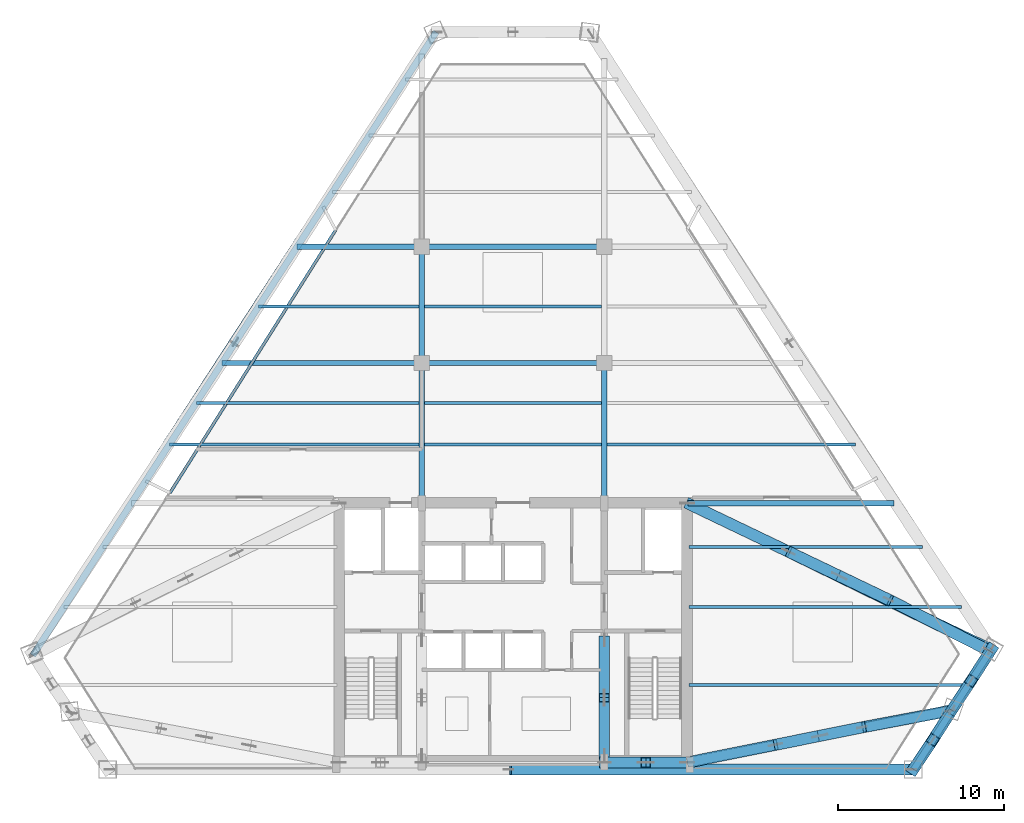
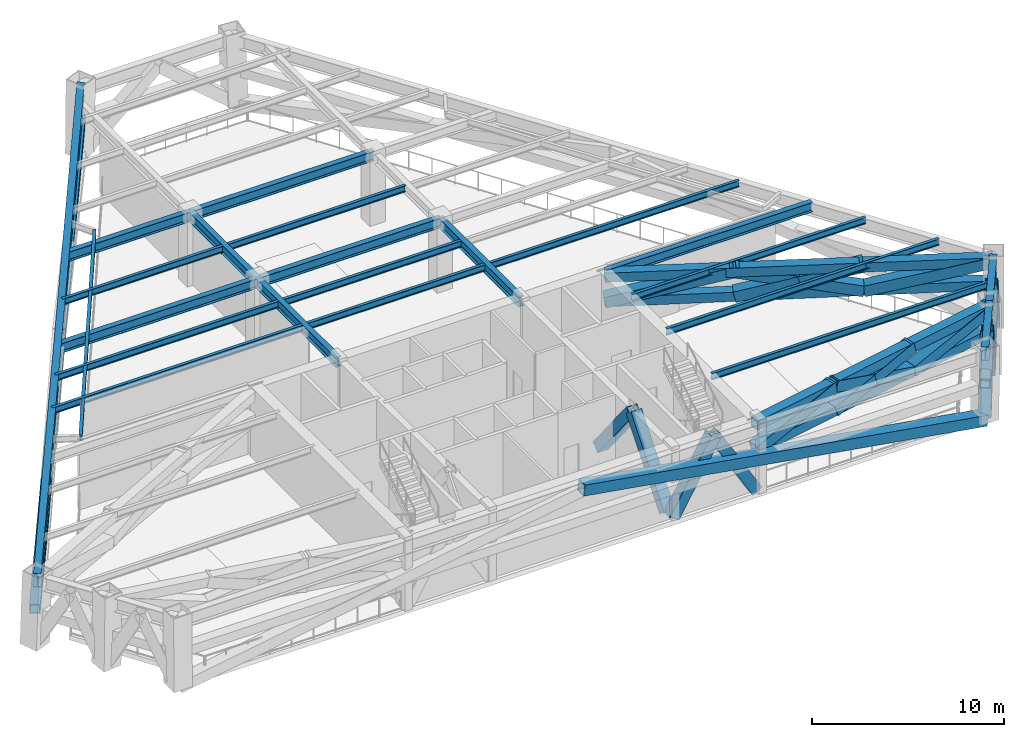
# One storey, part 2 of 9: 26 members, 22 beams.
"""IFC4 building model written with IfcOpenShell, lengths in metres."""

from ifc_helpers import new_model, si_unit, direction, frame, origin, origin_2d, place, context, subcontext, project, spatial, hollow_rectangle, i_section, extrude, source, transform, mapped, material, material_profile, profile_set, type_object, type_shapes, element, save


model = new_model("IFC4")

# Units and contexts
model_context = context("Model", 3, precision=1e-05, world=origin(), true_north=direction((0.0, 1.0)))
body_context = subcontext(model_context, "Body", "Model", "MODEL_VIEW")
ifc_project = project(units=[si_unit("LENGTHUNIT", "METRE"), si_unit("AREAUNIT", "SQUARE_METRE"), si_unit("VOLUMEUNIT", "CUBIC_METRE"), si_unit("PLANEANGLEUNIT", "RADIAN"), si_unit("MASSUNIT", "GRAM", prefix="KILO")], contexts=[model_context])

# Site, building, storey
site_placement = place(None, origin())
site = spatial("IfcSite", under=ifc_project, at=site_placement, CompositionType="ELEMENT")
building_placement = place(site_placement, origin())
building = spatial("IfcBuilding", under=site, at=building_placement, Name="Varnakhor Terracotta Tower", CompositionType="ELEMENT")
storey_placement = place(building_placement, frame((0.0, 0.0, 166.300048828125)))
storey = spatial("IfcBuildingStorey", under=building, at=storey_placement, Name="L42", CompositionType="ELEMENT", Elevation=166.300048828125)

# Beams
ifc_material_1 = material(Name="Steel S355", Category="steel")
ifc_material_profile_1 = material_profile(ifc_material_1, i_section(OverallWidth=0.324951171875, OverallDepth=0.615966796875, WebThickness=0.013916015625, FlangeThickness=0.02197265625, FilletRadius=0.01806640625, at=origin_2d()), Name="W24X117")
ifc_profile_set_1 = profile_set([ifc_material_profile_1], Name="Steel S355")
beam_type_1 = type_object("IfcBeamType", Name="BM-W24X117", PredefinedType="BEAM", material=ifc_profile_set_1)
shared_shape_1 = source(origin(), body_context, "Body", "SweptSolid", [
    extrude(i_section(OverallWidth=0.324951171875, OverallDepth=0.615966796875, WebThickness=0.013916015625, FlangeThickness=0.02197265625, FilletRadius=0.01806640625, at=origin_2d()), origin(), (0.0, 0.0, 1.0), 8.449951171875),
])
type_shapes(beam_type_1, [shared_shape_1])
for number, where, z_axis, x_axis, name in (
    (1, (-5.5, 16.050048828125, 4.161865234375), (0.0, 1.0, 0.0), (-1.0, 0.0, 0.0), "L42 Primary Girder NS1-W"),
    (2, (5.5, 16.050048828125, 4.161865234375), (0.0, 1.0, 0.0), (-1.0, 0.0, 0.0), "L42 Primary Girder NS1-E"),
):
    element("IfcBeam", number, at=place(storey_placement, frame(where, z_axis=z_axis, x_axis=x_axis)), inside=storey, type_object=beam_type_1, Name=name, PredefinedType="BEAM", context=body_context, shape_type="MappedRepresentation", body=[
        mapped(shared_shape_1, transform((0.0, 0.0, 0.0), scale=1.0)),
    ])
shared_shape_2 = source(origin(), body_context, "Body", "SweptSolid", [
    extrude(i_section(OverallWidth=0.324951171875, OverallDepth=0.615966796875, WebThickness=0.013916015625, FlangeThickness=0.02197265625, FilletRadius=0.01806640625, at=origin_2d()), origin(), (0.0, 0.0, 1.0), 7.0),
])
beam_1_placement = place(storey_placement, frame((-5.5, 24.5, 4.161865234375), z_axis=(0.0, 1.0, 0.0), x_axis=(-1.0, 0.0, 0.0)))
element("IfcBeam", 3, at=beam_1_placement, inside=storey, type_object=beam_type_1, Name="L42 Primary Girder NS2-W", PredefinedType="BEAM", context=body_context, shape_type="MappedRepresentation", body=[
    mapped(shared_shape_2, transform((0.0, 0.0, 0.0), scale=1.0)),
])
shared_shape_3 = source(origin(), body_context, "Body", "SweptSolid", [
    extrude(i_section(OverallWidth=0.324951171875, OverallDepth=0.615966796875, WebThickness=0.013916015625, FlangeThickness=0.02197265625, FilletRadius=0.01806640625, at=origin_2d()), origin(), (0.0, 0.0, 1.0), 11.0),
])
for number, where, z_axis, x_axis, name in (
    (4, (-5.5, 24.5, 4.161865234375), (1.0, 0.0, 0.0), (0.0, 1.0, 0.0), "L42 Primary Girder EW2-2"),
    (5, (-5.5, 31.5, 4.161865234375), (1.0, 0.0, 0.0), (0.0, 1.0, 0.0), "L42 Primary Girder EW3-2"),
):
    element("IfcBeam", number, at=place(storey_placement, frame(where, z_axis=z_axis, x_axis=x_axis)), inside=storey, type_object=beam_type_1, Name=name, PredefinedType="BEAM", context=body_context, shape_type="MappedRepresentation", body=[
        mapped(shared_shape_3, transform((0.0, 0.0, 0.0), scale=1.0)),
    ])
ifc_material_profile_2 = material_profile(ifc_material_1, i_section(OverallWidth=0.179931640625, OverallDepth=0.4130859375, WebThickness=0.009765625, FlangeThickness=0.01611328125, FilletRadius=0.01806640625, at=origin_2d()), Name="W16X50")
ifc_profile_set_2 = profile_set([ifc_material_profile_2], Name="Steel S355")
beam_type_2 = type_object("IfcBeamType", Name="JST-W16X50", PredefinedType="JOIST", material=ifc_profile_set_2)
shared_shape_4 = source(origin(), body_context, "Body", "SweptSolid", [
    extrude(i_section(OverallWidth=0.179931640625, OverallDepth=0.4130859375, WebThickness=0.009765625, FlangeThickness=0.01611328125, FilletRadius=0.01806640625, at=origin_2d()), origin(), (0.0, 0.0, 1.0), 10.68310546875),
])
for number, where, z_axis, x_axis, name in (
    (6, (-5.341552734375, 19.60009765625, 4.263427734375), (1.0, 0.0, 0.0), (0.0, 1.0, 0.0), "L42 Composite Floor Joist 4-2"),
    (7, (-5.341552734375, 22.10009765625, 4.263427734375), (1.0, 0.0, 0.0), (0.0, 1.0, 0.0), "L42 Composite Floor Joist 5-2"),
    (8, (-5.341552734375, 27.89990234375, 4.263427734375), (1.0, 0.0, 0.0), (0.0, 1.0, 0.0), "L42 Composite Floor Joist 6-2"),
):
    element("IfcBeam", number, at=place(storey_placement, frame(where, z_axis=z_axis, x_axis=x_axis)), inside=storey, type_object=beam_type_2, Name=name, PredefinedType="JOIST", context=body_context, shape_type="MappedRepresentation", body=[
        mapped(shared_shape_4, transform((0.0, 0.0, 0.0), scale=1.0)),
    ])
ifc_material_profile_3 = material_profile(ifc_material_1, i_section(OverallWidth=0.39990234375, OverallDepth=0.85498046875, WebThickness=0.01806640625, FlangeThickness=0.029052734375, FilletRadius=0.01806640625, at=origin_2d()), Name="W33X201")
ifc_profile_set_3 = profile_set([ifc_material_profile_3], Name="Steel S355")
beam_type_3 = type_object("IfcBeamType", Name="BM-W33X201", PredefinedType="BEAM", material=ifc_profile_set_3)
shared_shape_5 = source(origin(), body_context, "Body", "SweptSolid", [
    extrude(i_section(OverallWidth=0.39990234375, OverallDepth=0.85498046875, WebThickness=0.01806640625, FlangeThickness=0.029052734375, FilletRadius=0.01806640625, at=origin_2d()), origin(), (0.0, 0.0, 1.0), 4.24169921875),
])
beam_2_placement = place(storey_placement, frame((24.1484375, 0.0, 4.04248046875), z_axis=(0.543225026185, 0.83958714314, 0.0), x_axis=(-0.83958714314, 0.543225026185, 0.0)))
element("IfcBeam", 9, at=beam_2_placement, inside=storey, type_object=beam_type_3, Name="L42 Perimeter Spandrel 2", PredefinedType="BEAM", context=body_context, shape_type="MappedRepresentation", body=[
    mapped(shared_shape_5, transform((0.0, 0.0, 0.0), scale=1.0)),
])
shared_shape_6 = source(origin(), body_context, "Body", "SweptSolid", [
    extrude(i_section(OverallWidth=0.39990234375, OverallDepth=0.85498046875, WebThickness=0.01806640625, FlangeThickness=0.029052734375, FilletRadius=0.01806640625, at=origin_2d()), origin(), (0.0, 0.0, 1.0), 4.241943359375),
])
beam_3_placement = place(storey_placement, frame((26.45263671875, 3.561279296875, 4.04248046875), z_axis=(0.543198776218, 0.839604126666, 0.0), x_axis=(-0.839604126666, 0.543198776218, 0.0)))
element("IfcBeam", 10, at=beam_3_placement, inside=storey, type_object=beam_type_3, Name="L42 Perimeter Spandrel 3", PredefinedType="BEAM", context=body_context, shape_type="MappedRepresentation", body=[
    mapped(shared_shape_6, transform((0.0, 0.0, 0.0), scale=1.0)),
])
shared_shape_7 = source(origin(), body_context, "Body", "SweptSolid", [
    extrude(i_section(OverallWidth=0.39990234375, OverallDepth=0.85498046875, WebThickness=0.01806640625, FlangeThickness=0.029052734375, FilletRadius=0.01806640625, at=origin_2d()), origin(), (0.0, 0.0, 1.0), 44.763671875),
])
beam_4_placement = place(storey_placement, frame((-4.6337890625, 44.4521484375, 4.04248046875), z_axis=(-0.543206953717, -0.839598836012, 0.0), x_axis=(0.839598836012, -0.543206953717, 0.0)))
element("IfcBeam", 11, at=beam_4_placement, inside=storey, type_object=beam_type_3, Name="L42 Perimeter Spandrel 6", PredefinedType="BEAM", context=body_context, shape_type="MappedRepresentation", body=[
    mapped(shared_shape_7, transform((0.0, 0.0, 0.0), scale=1.0)),
])
ifc_material_profile_4 = material_profile(ifc_material_1, i_section(OverallWidth=0.179931640625, OverallDepth=0.39990234375, WebThickness=0.008544921875, FlangeThickness=0.013427734375, FilletRadius=0.01806640625, at=origin_2d()), Name="IPE400")
ifc_profile_set_4 = profile_set([ifc_material_profile_4], Name="Steel S355")
beam_type_4 = type_object("IfcBeamType", Name="JST-IPE400", PredefinedType="JOIST", material=ifc_profile_set_4)
shared_shape_8 = source(origin(), body_context, "Body", "SweptSolid", [
    extrude(i_section(OverallWidth=0.179931640625, OverallDepth=0.39990234375, WebThickness=0.008544921875, FlangeThickness=0.013427734375, FilletRadius=0.01806640625, at=origin_2d()), origin(), (0.0, 0.0, 1.0), 18.73291015625),
])
beam_5_placement = place(storey_placement, frame((-10.693115234375, 32.510986328125, 4.27001953125), z_axis=(-0.533387287799, -0.845871149298, 0.0), x_axis=(0.845871149298, -0.533387287799, 0.0)))
element("IfcBeam", 12, at=beam_5_placement, inside=storey, type_object=beam_type_4, Name="L42 Loggia Edge Beam 2", PredefinedType="JOIST", context=body_context, shape_type="MappedRepresentation", body=[
    mapped(shared_shape_8, transform((0.0, 0.0, 0.0), scale=1.0)),
])
shared_shape_9 = source(origin(), body_context, "Body", "SweptSolid", [
    extrude(i_section(OverallWidth=0.324951171875, OverallDepth=0.615966796875, WebThickness=0.013916015625, FlangeThickness=0.02197265625, FilletRadius=0.01806640625, at=origin_2d()), origin(), (0.0, 0.0, 1.0), 12.39501953125),
])
beam_6_placement = place(storey_placement, frame((10.550048828125, 16.050048828125, 4.161865234375), z_axis=(1.0, 0.0, 0.0), x_axis=(0.0, 1.0, 0.0)))
element("IfcBeam", 13, at=beam_6_placement, inside=storey, type_object=beam_type_1, Name="L42 Wing Girder E", PredefinedType="BEAM", context=body_context, shape_type="MappedRepresentation", body=[
    mapped(shared_shape_9, transform((0.0, 0.0, 0.0), scale=1.0)),
])
shared_shape_10 = source(origin(), body_context, "Body", "SweptSolid", [
    extrude(i_section(OverallWidth=0.324951171875, OverallDepth=0.615966796875, WebThickness=0.013916015625, FlangeThickness=0.02197265625, FilletRadius=0.01806640625, at=origin_2d()), origin(), (0.0, 0.0, 1.0), 12.04248046875),
])
beam_7_placement = place(storey_placement, frame((-17.54248046875, 24.5, 4.161865234375), z_axis=(1.0, 0.0, 0.0), x_axis=(0.0, 1.0, 0.0)))
element("IfcBeam", 14, at=beam_7_placement, inside=storey, type_object=beam_type_1, Name="L42 Primary Girder EW2-1", PredefinedType="BEAM", context=body_context, shape_type="MappedRepresentation", body=[
    mapped(shared_shape_10, transform((0.0, 0.0, 0.0), scale=1.0)),
])
shared_shape_11 = source(origin(), body_context, "Body", "SweptSolid", [
    extrude(i_section(OverallWidth=0.324951171875, OverallDepth=0.615966796875, WebThickness=0.013916015625, FlangeThickness=0.02197265625, FilletRadius=0.01806640625, at=origin_2d()), origin(), (0.0, 0.0, 1.0), 7.513671875),
])
beam_8_placement = place(storey_placement, frame((-13.013671875, 31.5, 4.161865234375), z_axis=(1.0, 0.0, 0.0), x_axis=(0.0, 1.0, 0.0)))
element("IfcBeam", 15, at=beam_8_placement, inside=storey, type_object=beam_type_1, Name="L42 Primary Girder EW3-1", PredefinedType="BEAM", context=body_context, shape_type="MappedRepresentation", body=[
    mapped(shared_shape_11, transform((0.0, 0.0, 0.0), scale=1.0)),
])
shared_shape_12 = source(origin(), body_context, "Body", "SweptSolid", [
    extrude(i_section(OverallWidth=0.179931640625, OverallDepth=0.4130859375, WebThickness=0.009765625, FlangeThickness=0.01611328125, FilletRadius=0.01806640625, at=origin_2d()), origin(), (0.0, 0.0, 1.0), 16.847900390625),
])
beam_9_placement = place(storey_placement, frame((10.60009765625, 5.10009765625, 4.263427734375), z_axis=(1.0, 0.0, 0.0), x_axis=(0.0, 1.0, 0.0)))
element("IfcBeam", 16, at=beam_9_placement, inside=storey, type_object=beam_type_2, Name="L42 Floor Joist E1", PredefinedType="JOIST", context=body_context, shape_type="MappedRepresentation", body=[
    mapped(shared_shape_12, transform((0.0, 0.0, 0.0), scale=1.0)),
])
shared_shape_13 = source(origin(), body_context, "Body", "SweptSolid", [
    extrude(i_section(OverallWidth=0.179931640625, OverallDepth=0.4130859375, WebThickness=0.009765625, FlangeThickness=0.01611328125, FilletRadius=0.01806640625, at=origin_2d()), origin(), (0.0, 0.0, 1.0), 16.413818359375),
])
beam_10_placement = place(storey_placement, frame((10.60009765625, 9.800048828125, 4.263427734375), z_axis=(1.0, 0.0, 0.0), x_axis=(0.0, 1.0, 0.0)))
element("IfcBeam", 17, at=beam_10_placement, inside=storey, type_object=beam_type_2, Name="L42 Floor Joist E2", PredefinedType="JOIST", context=body_context, shape_type="MappedRepresentation", body=[
    mapped(shared_shape_13, transform((0.0, 0.0, 0.0), scale=1.0)),
])
shared_shape_14 = source(origin(), body_context, "Body", "SweptSolid", [
    extrude(i_section(OverallWidth=0.179931640625, OverallDepth=0.4130859375, WebThickness=0.009765625, FlangeThickness=0.01611328125, FilletRadius=0.01806640625, at=origin_2d()), origin(), (0.0, 0.0, 1.0), 14.070068359375),
])
beam_11_placement = place(storey_placement, frame((10.60009765625, 13.39990234375, 4.263427734375), z_axis=(1.0, 0.0, 0.0), x_axis=(0.0, 1.0, 0.0)))
element("IfcBeam", 18, at=beam_11_placement, inside=storey, type_object=beam_type_2, Name="L42 Floor Joist E3", PredefinedType="JOIST", context=body_context, shape_type="MappedRepresentation", body=[
    mapped(shared_shape_14, transform((0.0, 0.0, 0.0), scale=1.0)),
])
shared_shape_15 = source(origin(), body_context, "Body", "SweptSolid", [
    extrude(i_section(OverallWidth=0.179931640625, OverallDepth=0.4130859375, WebThickness=0.009765625, FlangeThickness=0.01611328125, FilletRadius=0.01806640625, at=origin_2d()), origin(), (0.0, 0.0, 1.0), 15.054443359375),
])
beam_12_placement = place(storey_placement, frame((-20.712890625, 19.60009765625, 4.263427734375), z_axis=(1.0, 0.0, 0.0), x_axis=(0.0, 1.0, 0.0)))
element("IfcBeam", 19, at=beam_12_placement, inside=storey, type_object=beam_type_2, Name="L42 Composite Floor Joist 4-1", PredefinedType="JOIST", context=body_context, shape_type="MappedRepresentation", body=[
    mapped(shared_shape_15, transform((0.0, 0.0, 0.0), scale=1.0)),
])
shared_shape_16 = source(origin(), body_context, "Body", "SweptSolid", [
    extrude(i_section(OverallWidth=0.179931640625, OverallDepth=0.4130859375, WebThickness=0.009765625, FlangeThickness=0.01611328125, FilletRadius=0.01806640625, at=origin_2d()), origin(), (0.0, 0.0, 1.0), 14.9755859375),
])
beam_13_placement = place(storey_placement, frame((5.658447265625, 19.60009765625, 4.263427734375), z_axis=(1.0, 0.0, 0.0), x_axis=(0.0, 1.0, 0.0)))
element("IfcBeam", 20, at=beam_13_placement, inside=storey, type_object=beam_type_2, Name="L42 Composite Floor Joist 4-3", PredefinedType="JOIST", context=body_context, shape_type="MappedRepresentation", body=[
    mapped(shared_shape_16, transform((0.0, 0.0, 0.0), scale=1.0)),
])
shared_shape_17 = source(origin(), body_context, "Body", "SweptSolid", [
    extrude(i_section(OverallWidth=0.179931640625, OverallDepth=0.4130859375, WebThickness=0.009765625, FlangeThickness=0.01611328125, FilletRadius=0.01806640625, at=origin_2d()), origin(), (0.0, 0.0, 1.0), 13.43701171875),
])
beam_14_placement = place(storey_placement, frame((-19.095458984375, 22.10009765625, 4.263427734375), z_axis=(1.0, 0.0, 0.0), x_axis=(0.0, 1.0, 0.0)))
element("IfcBeam", 21, at=beam_14_placement, inside=storey, type_object=beam_type_2, Name="L42 Composite Floor Joist 5-1", PredefinedType="JOIST", context=body_context, shape_type="MappedRepresentation", body=[
    mapped(shared_shape_17, transform((0.0, 0.0, 0.0), scale=1.0)),
])
shared_shape_18 = source(origin(), body_context, "Body", "SweptSolid", [
    extrude(i_section(OverallWidth=0.179931640625, OverallDepth=0.4130859375, WebThickness=0.009765625, FlangeThickness=0.01611328125, FilletRadius=0.01806640625, at=origin_2d()), origin(), (0.0, 0.0, 1.0), 9.6845703125),
])
beam_15_placement = place(storey_placement, frame((-15.343017578125, 27.89990234375, 4.263427734375), z_axis=(1.0, 0.0, 0.0), x_axis=(0.0, 1.0, 0.0)))
element("IfcBeam", 22, at=beam_15_placement, inside=storey, type_object=beam_type_2, Name="L42 Composite Floor Joist 6-1", PredefinedType="JOIST", context=body_context, shape_type="MappedRepresentation", body=[
    mapped(shared_shape_18, transform((0.0, 0.0, 0.0), scale=1.0)),
])

# Members
ifc_material_2 = material(Name="Steel S460", Category="steel")
ifc_material_profile_5 = material_profile(ifc_material_2, hollow_rectangle(XDim=0.64990234375, YDim=0.64990234375, WallThickness=0.0400390625, at=origin_2d()), Name="HSS650X650X40")
ifc_profile_set_5 = profile_set([ifc_material_profile_5], Name="Steel S460")
member_type_1 = type_object("IfcMemberType", Name="MBR-MEGA-650", PredefinedType="BRACE", material=ifc_profile_set_5)
shared_shape_19 = source(origin(), body_context, "Body", "SweptSolid", [
    extrude(hollow_rectangle(XDim=0.64990234375, YDim=0.64990234375, WallThickness=0.0400390625, at=origin_2d()), origin(), (0.0, 0.0, 1.0), 4.9912109375),
])
for number, where, z_axis, x_axis, name in (
    (23, (5.5, 0.419921875, 0.0), (0.5008723715, 0.0, 0.86552115368), (0.0, 1.0, 0.0), "L42 Core Coupled Brace CSEA"),
    (24, (10.5, 0.419921875, 0.0), (-0.5008723715, 0.0, 0.86552115368), (0.0, -1.0, 0.0), "L42 Core Coupled Brace CSEB"),
):
    element("IfcMember", number, at=place(storey_placement, frame(where, z_axis=z_axis, x_axis=x_axis)), inside=storey, type_object=member_type_1, Name=name, PredefinedType="BRACE", context=body_context, shape_type="MappedRepresentation", body=[
        mapped(shared_shape_19, transform((0.0, 0.0, 0.0), scale=1.0)),
    ])
shared_shape_20 = source(origin(), body_context, "Body", "SweptSolid", [
    extrude(hollow_rectangle(XDim=0.64990234375, YDim=0.64990234375, WallThickness=0.0400390625, at=origin_2d()), origin(), (0.0, 0.0, 1.0), 5.544189453125),
])
for number, where, z_axis, x_axis, name in (
    (25, (5.5, 0.85009765625, 0.0), (0.0, 0.626760388554, 0.779212047738), (-1.0, 0.0, 0.0), "L42 Core Coupled Brace CWEA"),
    (26, (5.5, 7.800048828125, 0.0), (0.0, -0.626787124677, 0.779190541742), (1.0, 0.0, 0.0), "L42 Core Coupled Brace CWEB"),
):
    element("IfcMember", number, at=place(storey_placement, frame(where, z_axis=z_axis, x_axis=x_axis)), inside=storey, type_object=member_type_1, Name=name, PredefinedType="BRACE", context=body_context, shape_type="MappedRepresentation", body=[
        mapped(shared_shape_20, transform((0.0, 0.0, 0.0), scale=1.0)),
    ])
ifc_material_profile_6 = material_profile(ifc_material_2, hollow_rectangle(XDim=0.679931640625, YDim=0.679931640625, WallThickness=0.048095703125, at=origin_2d()), Name="HSS680X680X48")
ifc_profile_set_6 = profile_set([ifc_material_profile_6], Name="Steel S460")
member_type_2 = type_object("IfcMemberType", Name="MBR-OUTRIGGER-680", PredefinedType="BRACE", material=ifc_profile_set_6)
shared_shape_21 = source(origin(), body_context, "Body", "SweptSolid", [
    extrude(hollow_rectangle(XDim=0.679931640625, YDim=0.679931640625, WallThickness=0.048095703125, at=origin_2d()), origin(), (0.0, 0.0, 1.0), 24.61572265625),
])
member_1_placement = place(storey_placement, frame((24.11669921875, 0.0, 0.0), z_axis=(-0.9864231264, 0.0, 0.164223675829), x_axis=(0.0, -1.0, 0.0)))
element("IfcMember", 27, at=member_1_placement, inside=storey, type_object=member_type_2, Name="L42 Belt-Truss Diagonal S1B", PredefinedType="BRACE", context=body_context, shape_type="MappedRepresentation", body=[
    mapped(shared_shape_21, transform((0.0, 0.0, 0.0), scale=1.0)),
])
shared_shape_22 = source(origin(), body_context, "Body", "SweptSolid", [
    extrude(hollow_rectangle(XDim=0.679931640625, YDim=0.679931640625, WallThickness=0.048095703125, at=origin_2d()), origin(), (0.0, 0.0, 1.0), 4.5732421875),
])
member_2_placement = place(storey_placement, frame((24.11669921875, 0.0, 0.0), z_axis=(0.258863767314, 0.389390043058, 0.883948496429), x_axis=(-0.832769754247, 0.553619487023, 0.0)))
element("IfcMember", 28, at=member_2_placement, inside=storey, type_object=member_type_2, Name="L42 Belt-Truss Diagonal E1A", PredefinedType="BRACE", context=body_context, shape_type="MappedRepresentation", body=[
    mapped(shared_shape_22, transform((0.0, 0.0, 0.0), scale=1.0)),
])
shared_shape_23 = source(origin(), body_context, "Body", "SweptSolid", [
    extrude(hollow_rectangle(XDim=0.679931640625, YDim=0.679931640625, WallThickness=0.048095703125, at=origin_2d()), origin(), (0.0, 0.0, 1.0), 4.59912109375),
])
member_3_placement = place(storey_placement, frame((26.477294921875, 3.63134765625, 0.0), z_axis=(-0.255870879241, -0.402386154492, 0.878985481012), x_axis=(0.843844797634, -0.536587325145, 0.0)))
element("IfcMember", 29, at=member_3_placement, inside=storey, type_object=member_type_2, Name="L42 Belt-Truss Diagonal E1B", PredefinedType="BRACE", context=body_context, shape_type="MappedRepresentation", body=[
    mapped(shared_shape_23, transform((0.0, 0.0, 0.0), scale=1.0)),
])
ifc_material_profile_7 = material_profile(ifc_material_2, hollow_rectangle(XDim=0.580078125, YDim=0.580078125, WallThickness=0.0380859375, at=origin_2d()), Name="HSS580X580X38")
ifc_profile_set_7 = profile_set([ifc_material_profile_7], Name="Steel S460")
member_type_3 = type_object("IfcMemberType", Name="MBR-BELT-CHORD-580", PredefinedType="CHORD", material=ifc_profile_set_7)
shared_shape_24 = source(origin(), body_context, "Body", "SweptSolid", [
    extrude(hollow_rectangle(XDim=0.580078125, YDim=0.580078125, WallThickness=0.0380859375, at=origin_2d()), origin(), (0.0, 0.0, 1.0), 4.331298828125),
])
member_4_placement = place(storey_placement, frame((24.11669921875, 0.0, 2.14990234375), z_axis=(0.545024013631, 0.838420434249, 0.0), x_axis=(-0.838420434249, 0.545024013631, 0.0)))
element("IfcMember", 30, at=member_4_placement, inside=storey, type_object=member_type_3, Name="L42 Belt-Truss Bottom Chord E1", PredefinedType="CHORD", context=body_context, shape_type="MappedRepresentation", body=[
    mapped(shared_shape_24, transform((0.0, 0.0, 0.0), scale=1.0)),
])
shared_shape_25 = source(origin(), body_context, "Body", "SweptSolid", [
    extrude(hollow_rectangle(XDim=0.679931640625, YDim=0.679931640625, WallThickness=0.048095703125, at=origin_2d()), origin(), (0.0, 0.0, 1.0), 4.531982421875),
])
member_5_placement = place(storey_placement, frame((26.477294921875, 3.63134765625, 0.0), z_axis=(0.248772145117, 0.377467826079, 0.891981199403), x_axis=(-0.834971892817, 0.550292593268, 0.0)))
element("IfcMember", 31, at=member_5_placement, inside=storey, type_object=member_type_2, Name="L42 Belt-Truss Diagonal E2A", PredefinedType="BRACE", context=body_context, shape_type="MappedRepresentation", body=[
    mapped(shared_shape_25, transform((0.0, 0.0, 0.0), scale=1.0)),
])
shared_shape_26 = source(origin(), body_context, "Body", "SweptSolid", [
    extrude(hollow_rectangle(XDim=0.679931640625, YDim=0.679931640625, WallThickness=0.048095703125, at=origin_2d()), origin(), (0.0, 0.0, 1.0), 4.64208984375),
])
member_6_placement = place(storey_placement, frame((28.83740234375, 7.2626953125, 0.0), z_axis=(-0.26553484251, -0.413737889885, 0.87081123436), x_axis=(0.841584903068, -0.540124847539, 0.0)))
element("IfcMember", 32, at=member_6_placement, inside=storey, type_object=member_type_2, Name="L42 Belt-Truss Diagonal E2B", PredefinedType="BRACE", context=body_context, shape_type="MappedRepresentation", body=[
    mapped(shared_shape_26, transform((0.0, 0.0, 0.0), scale=1.0)),
])
shared_shape_27 = source(origin(), body_context, "Body", "SweptSolid", [
    extrude(hollow_rectangle(XDim=0.580078125, YDim=0.580078125, WallThickness=0.0380859375, at=origin_2d()), origin(), (0.0, 0.0, 1.0), 4.330810546875),
])
member_7_placement = place(storey_placement, frame((26.477294921875, 3.63134765625, 2.14990234375), z_axis=(0.544944758423, 0.838471949601, 0.0), x_axis=(-0.838471949601, 0.544944758423, 0.0)))
element("IfcMember", 33, at=member_7_placement, inside=storey, type_object=member_type_3, Name="L42 Belt-Truss Bottom Chord E2", PredefinedType="CHORD", context=body_context, shape_type="MappedRepresentation", body=[
    mapped(shared_shape_27, transform((0.0, 0.0, 0.0), scale=1.0)),
])
shared_shape_28 = source(origin(), body_context, "Body", "SweptSolid", [
    extrude(hollow_rectangle(XDim=0.580078125, YDim=0.580078125, WallThickness=0.0380859375, at=origin_2d()), origin(), (0.0, 0.0, 1.0), 44.621337890625),
])
member_8_placement = place(storey_placement, frame((-4.689208984375, 44.428955078125, 2.14990234375), z_axis=(-0.544983350369, -0.838446866426, 0.0), x_axis=(0.838446866426, -0.544983350369, 0.0)))
element("IfcMember", 34, at=member_8_placement, inside=storey, type_object=member_type_3, Name="L42 Belt-Truss Bottom Chord NW", PredefinedType="CHORD", context=body_context, shape_type="MappedRepresentation", body=[
    mapped(shared_shape_28, transform((0.0, 0.0, 0.0), scale=1.0)),
])
shared_shape_29 = source(origin(), body_context, "Body", "SweptSolid", [
    extrude(hollow_rectangle(XDim=0.580078125, YDim=0.580078125, WallThickness=0.0380859375, at=origin_2d()), origin(), (0.0, 0.0, 1.0), 16.296875),
])
member_9_placement = place(storey_placement, frame((10.5, 0.419921875, 2.550048828125), z_axis=(0.980391810153, 0.197058109664, 0.0), x_axis=(-0.197058109664, 0.980391810153, 0.0)))
element("IfcMember", 35, at=member_9_placement, inside=storey, type_object=member_type_3, Name="L42 Outrigger Bottom Chord OE1", PredefinedType="CHORD", context=body_context, shape_type="MappedRepresentation", body=[
    mapped(shared_shape_29, transform((0.0, 0.0, 0.0), scale=1.0)),
])
shared_shape_30 = source(origin(), body_context, "Body", "SweptSolid", [
    extrude(hollow_rectangle(XDim=0.580078125, YDim=0.580078125, WallThickness=0.0380859375, at=origin_2d()), origin(), (0.0, 0.0, 1.0), 16.259033203125),
])
member_10_placement = place(storey_placement, frame((10.5, 0.419921875, 4.119873046875), z_axis=(0.981157934982, 0.19320741865, 0.0), x_axis=(-0.19320741865, 0.981157934982, 0.0)))
element("IfcMember", 36, at=member_10_placement, inside=storey, type_object=member_type_3, Name="L42 Outrigger Top Chord OE1", PredefinedType="CHORD", context=body_context, shape_type="MappedRepresentation", body=[
    mapped(shared_shape_30, transform((0.0, 0.0, 0.0), scale=1.0)),
])
shared_shape_31 = source(origin(), body_context, "Body", "SweptSolid", [
    extrude(hollow_rectangle(XDim=0.679931640625, YDim=0.679931640625, WallThickness=0.048095703125, at=origin_2d()), origin(), (0.0, 0.0, 1.0), 5.654541015625),
])
member_11_placement = place(storey_placement, frame((10.5, 0.419921875, 2.550048828125), z_axis=(0.941849088052, 0.189328332773, 0.277623986255), x_axis=(-0.197075403165, 0.980388334012, 0.0)))
element("IfcMember", 37, at=member_11_placement, inside=storey, type_object=member_type_2, Name="L42 Outrigger Web Diagonal OE1-1", PredefinedType="BRACE", context=body_context, shape_type="MappedRepresentation", body=[
    mapped(shared_shape_31, transform((0.0, 0.0, 0.0), scale=1.0)),
])
shared_shape_32 = source(origin(), body_context, "Body", "SweptSolid", [
    extrude(hollow_rectangle(XDim=0.679931640625, YDim=0.679931640625, WallThickness=0.048095703125, at=origin_2d()), origin(), (0.0, 0.0, 1.0), 5.65478515625),
])
member_12_placement = place(storey_placement, frame((15.82568359375, 1.490478515625, 4.119873046875), z_axis=(0.941861661025, 0.189279006277, -0.277614965867), x_axis=(-0.197023523696, 0.980398761275, 0.0)))
element("IfcMember", 38, at=member_12_placement, inside=storey, type_object=member_type_2, Name="L42 Outrigger Continuous X-Diagonal OE1-2", PredefinedType="BRACE", context=body_context, shape_type="MappedRepresentation", body=[
    mapped(shared_shape_32, transform((0.0, 0.0, 0.0), scale=1.0)),
])
shared_shape_33 = source(origin(), body_context, "Body", "SweptSolid", [
    extrude(hollow_rectangle(XDim=0.679931640625, YDim=0.679931640625, WallThickness=0.048095703125, at=origin_2d()), origin(), (0.0, 0.0, 1.0), 2.8271484375),
])
member_13_placement = place(storey_placement, frame((15.82568359375, 1.490478515625, 2.550048828125), z_axis=(0.941856786422, 0.18928670357, 0.277626255464), x_axis=(-0.197032205043, 0.980397016609, 0.0)))
element("IfcMember", 39, at=member_13_placement, inside=storey, type_object=member_type_2, Name="L42 Outrigger Split X-Diagonal OE1-3A", PredefinedType="BRACE", context=body_context, shape_type="MappedRepresentation", body=[
    mapped(shared_shape_33, transform((0.0, 0.0, 0.0), scale=1.0)),
])
shared_shape_34 = source(origin(), body_context, "Body", "SweptSolid", [
    extrude(hollow_rectangle(XDim=0.679931640625, YDim=0.679931640625, WallThickness=0.048095703125, at=origin_2d()), origin(), (0.0, 0.0, 1.0), 2.827392578125),
])
member_14_placement = place(storey_placement, frame((18.488525390625, 2.025634765625, 3.3349609375), z_axis=(0.941866535034, 0.18927130957, 0.27760367713), x_axis=(-0.197014843099, 0.980400505711, 0.0)))
element("IfcMember", 40, at=member_14_placement, inside=storey, type_object=member_type_2, Name="L42 Outrigger Split X-Diagonal OE1-3B", PredefinedType="BRACE", context=body_context, shape_type="MappedRepresentation", body=[
    mapped(shared_shape_34, transform((0.0, 0.0, 0.0), scale=1.0)),
])
shared_shape_35 = source(origin(), body_context, "Body", "SweptSolid", [
    extrude(hollow_rectangle(XDim=0.679931640625, YDim=0.679931640625, WallThickness=0.048095703125, at=origin_2d()), origin(), (0.0, 0.0, 1.0), 5.618408203125),
])
member_15_placement = place(storey_placement, frame((21.151611328125, 2.560791015625, 2.550048828125), z_axis=(0.943514907495, 0.178074153314, 0.279408688583), x_axis=(-0.185460629514, 0.982651695618, 0.0)))
element("IfcMember", 41, at=member_15_placement, inside=storey, type_object=member_type_2, Name="L42 Outrigger Web Diagonal OE1-4", PredefinedType="BRACE", context=body_context, shape_type="MappedRepresentation", body=[
    mapped(shared_shape_35, transform((0.0, 0.0, 0.0), scale=1.0)),
])
shared_shape_36 = source(origin(), body_context, "Body", "SweptSolid", [
    extrude(hollow_rectangle(XDim=0.580078125, YDim=0.580078125, WallThickness=0.0380859375, at=origin_2d()), origin(), (0.0, 0.0, 1.0), 20.334228515625),
])
member_16_placement = place(storey_placement, frame((10.5, 16.050048828125, 2.550048828125), z_axis=(0.901802966605, -0.432147439449, 0.0), x_axis=(0.432147439449, 0.901802966605, 0.0)))
element("IfcMember", 42, at=member_16_placement, inside=storey, type_object=member_type_3, Name="L42 Outrigger Bottom Chord OE2", PredefinedType="CHORD", context=body_context, shape_type="MappedRepresentation", body=[
    mapped(shared_shape_36, transform((0.0, 0.0, 0.0), scale=1.0)),
])
shared_shape_37 = source(origin(), body_context, "Body", "SweptSolid", [
    extrude(hollow_rectangle(XDim=0.580078125, YDim=0.580078125, WallThickness=0.0380859375, at=origin_2d()), origin(), (0.0, 0.0, 1.0), 20.322509765625),
])
member_17_placement = place(storey_placement, frame((10.5, 16.050048828125, 4.119873046875), z_axis=(0.898351703815, -0.439276924334, 0.0), x_axis=(0.439276924334, 0.898351703815, 0.0)))
element("IfcMember", 43, at=member_17_placement, inside=storey, type_object=member_type_3, Name="L42 Outrigger Top Chord OE2", PredefinedType="CHORD", context=body_context, shape_type="MappedRepresentation", body=[
    mapped(shared_shape_37, transform((0.0, 0.0, 0.0), scale=1.0)),
])
shared_shape_38 = source(origin(), body_context, "Body", "SweptSolid", [
    extrude(hollow_rectangle(XDim=0.679931640625, YDim=0.679931640625, WallThickness=0.048095703125, at=origin_2d()), origin(), (0.0, 0.0, 1.0), 6.95751953125),
])
for number, where, z_axis, x_axis, name in (
    (44, (10.5, 16.050048828125, 2.550048828125), (0.878546244797, -0.421008820748, 0.225628164478), (0.432152524525, 0.901800529799, 0.0), "L42 Outrigger Web Diagonal OE2-1"),
    (45, (16.612548828125, 13.120849609375, 4.119873046875), (0.878559223452, -0.420979949824, -0.225631497655), (0.432123231831, 0.901814566589, 0.0), "L42 Outrigger Continuous X-Diagonal OE2-2"),
):
    element("IfcMember", number, at=place(storey_placement, frame(where, z_axis=z_axis, x_axis=x_axis)), inside=storey, type_object=member_type_2, Name=name, PredefinedType="BRACE", context=body_context, shape_type="MappedRepresentation", body=[
        mapped(shared_shape_38, transform((0.0, 0.0, 0.0), scale=1.0)),
    ])
shared_shape_39 = source(origin(), body_context, "Body", "SweptSolid", [
    extrude(hollow_rectangle(XDim=0.679931640625, YDim=0.679931640625, WallThickness=0.048095703125, at=origin_2d()), origin(), (0.0, 0.0, 1.0), 3.478759765625),
])
for number, where, z_axis, x_axis, name in (
    (46, (16.612548828125, 13.120849609375, 2.550048828125), (0.878538238434, -0.421021799997, 0.225635120352), (0.432166561975, 0.901793802768, 0.0), "L42 Outrigger Split X-Diagonal OE2-3A"),
    (47, (19.668701171875, 11.65625, 3.3349609375), (0.878580205858, -0.420938100067, 0.225627874577), (0.432079902156, 0.901835327625, 0.0), "L42 Outrigger Split X-Diagonal OE2-3B"),
):
    element("IfcMember", number, at=place(storey_placement, frame(where, z_axis=z_axis, x_axis=x_axis)), inside=storey, type_object=member_type_2, Name=name, PredefinedType="BRACE", context=body_context, shape_type="MappedRepresentation", body=[
        mapped(shared_shape_39, transform((0.0, 0.0, 0.0), scale=1.0)),
    ])
shared_shape_40 = source(origin(), body_context, "Body", "SweptSolid", [
    extrude(hollow_rectangle(XDim=0.679931640625, YDim=0.679931640625, WallThickness=0.048095703125, at=origin_2d()), origin(), (0.0, 0.0, 1.0), 6.947265625),
])
member_18_placement = place(storey_placement, frame((22.72509765625, 10.19189453125, 2.550048828125), z_axis=(0.868208249022, -0.441764992247, 0.225960456618), x_axis=(0.453493944182, 0.891259357645, 0.0)))
element("IfcMember", 48, at=member_18_placement, inside=storey, type_object=member_type_2, Name="L42 Outrigger Web Diagonal OE2-4", PredefinedType="BRACE", context=body_context, shape_type="MappedRepresentation", body=[
    mapped(shared_shape_40, transform((0.0, 0.0, 0.0), scale=1.0)),
])

save(model, "model.ifc")
